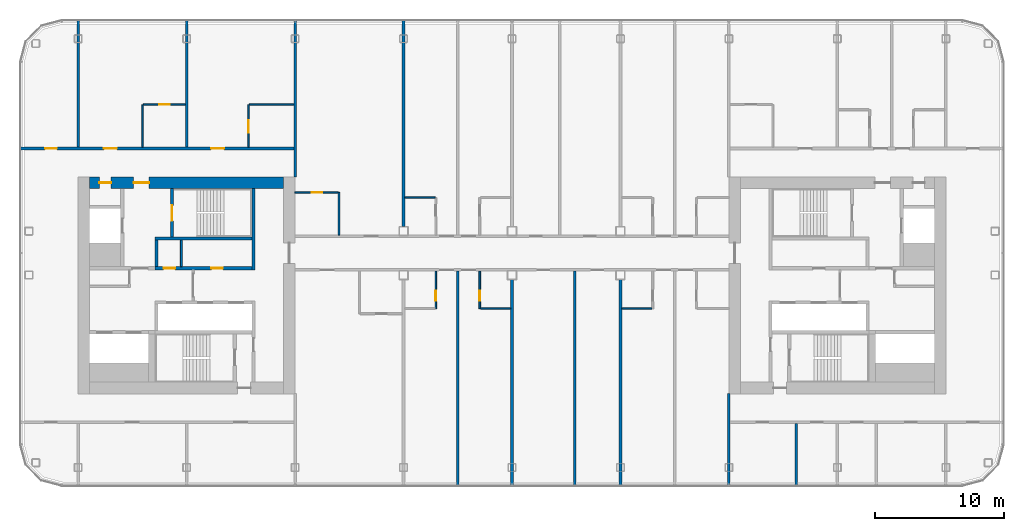
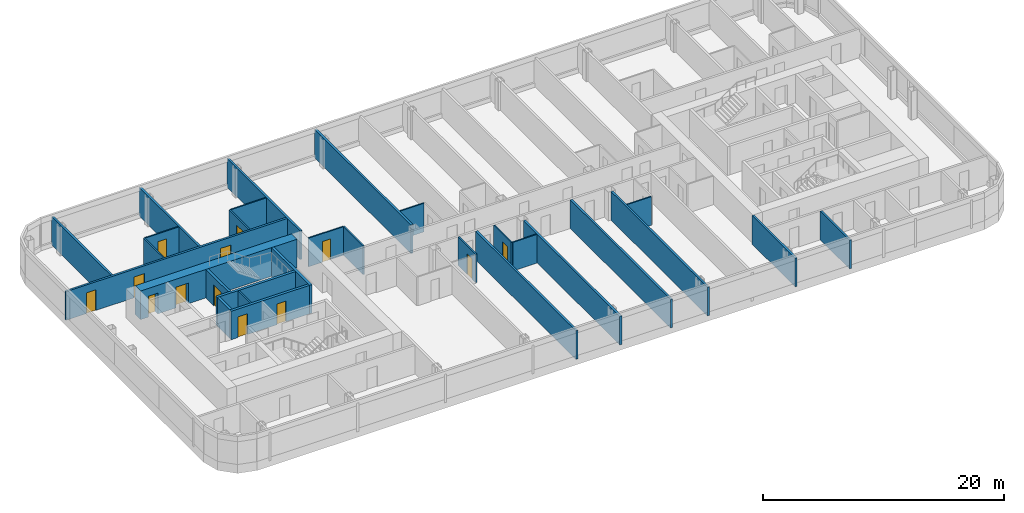
# One storey, part 14 of 26: 29 walls, 13 doors, 13 openings.
"""IFC4 building model written with IfcOpenShell, lengths in metres."""

from ifc_helpers import new_model, si_unit, direction, frame, frame_2d, origin, place, context, subcontext, project, spatial, rectangle, extrude, material, layer, layer_set, type_object, element, fill, save


model = new_model("IFC4")

# Units and contexts
model_context = context("Model", 3, precision=1e-05, world=origin(), true_north=direction((0.0, 1.0)))
body_context = subcontext(model_context, "Body", "Model", "MODEL_VIEW")
ifc_project = project(units=[si_unit("LENGTHUNIT", "METRE"), si_unit("AREAUNIT", "SQUARE_METRE"), si_unit("VOLUMEUNIT", "CUBIC_METRE"), si_unit("PLANEANGLEUNIT", "RADIAN"), si_unit("MASSUNIT", "GRAM", prefix="KILO")], contexts=[model_context])

# Site, building, storey
site_placement = place(None, origin())
site = spatial("IfcSite", under=ifc_project, at=site_placement, CompositionType="ELEMENT")
building_placement = place(site_placement, origin())
building = spatial("IfcBuilding", under=site, at=building_placement, Name="Hakoniwa Tower and Hamabe Station Hall", CompositionType="ELEMENT")
storey_placement = place(building_placement, frame((0.0, 0.0, 225.0)))
storey = spatial("IfcBuildingStorey", under=building, at=storey_placement, Name="L64", CompositionType="ELEMENT", Elevation=225.0)

# Walls
ifc_material_1 = material(Name="Gypsum board partition", Category="gypsum")
ifc_layer_1 = layer(ifc_material_1, 0.125)
ifc_layer_set_1 = layer_set([ifc_layer_1], Name="Bathroom Partition 125")
wall_type_1 = type_object("IfcWallType", Name="Bathroom Partition 125", PredefinedType="PARTITIONING", material=ifc_layer_set_1)
for number, where, z_axis, x_axis, name in (
    (1, (-2.4375, -1.800048828125, 0.0), (0.0, 0.0, 1.0), (1.0, 0.0, 0.0), "GW-L64-005"),
    (2, (8.5, -1.800048828125, 0.0), (0.0, 0.0, 1.0), (1.0, 0.0, 0.0), "GW-L64-006"),
):
    element("IfcWall", number, at=place(storey_placement, frame(where, z_axis=z_axis, x_axis=x_axis)), inside=storey, type_object=wall_type_1, Name=name, PredefinedType="PARTITIONING", context=body_context, shape_type="SweptSolid", body=[
        extrude(rectangle(XDim=2.33740234375, YDim=0.125, at=frame_2d((1.168701171875, 0.0))), origin(), (0.0, 0.0, 1.0), 2.89990234375),
    ])
wall_1_placement = place(storey_placement, frame((-8.300048828125, 6.800048828125, 0.0), z_axis=(0.0, 0.0, 1.0), x_axis=(1.0, 0.0, 0.0)))
element("IfcWall", 3, at=wall_1_placement, inside=storey, type_object=wall_type_1, Name="GW-L64-010", PredefinedType="PARTITIONING", context=body_context, shape_type="SweptSolid", body=[
    extrude(rectangle(XDim=2.337646484375, YDim=0.125, at=frame_2d((1.1689453125, 0.0))), origin(), (0.0, 0.0, 1.0), 2.89990234375),
])

# Wall, opening, door
wall_2_placement = place(storey_placement, frame((-16.81005859375, 7.199951171875, 0.0), z_axis=(0.0, 0.0, 1.0), x_axis=(1.0, 0.0, 0.0)))
wall_2 = element("IfcWall", 4, at=wall_2_placement, inside=storey, type_object=wall_type_1, Name="GW-L64-014", PredefinedType="PARTITIONING", context=body_context, shape_type="SweptSolid", body=[
    extrude(rectangle(XDim=3.34765625, YDim=0.125, at=frame_2d((1.673828125, 0.0))), origin(), (0.0, 0.0, 1.0), 2.89990234375),
])
opening_1_placement = place(wall_2_placement, frame((1.31005859375, 0.0, 0.0)))
opening_1 = element("IfcOpeningElement", 5, at=opening_1_placement, cuts=wall_2, Name="Opening GD-G4C2-24", PredefinedType="OPENING", context=body_context, shape_type="SweptSolid", body=[
    extrude(rectangle(XDim=0.800048828125, YDim=2.10009765625, at=frame_2d((0.39990234375, 1.050048828125))), frame((0.0, 0.072509765625, 0.0), z_axis=(0.0, -1.0, 0.0), x_axis=(1.0, 0.0, 0.0)), (0.0, 0.0, 1.0), 0.14501953125),
])
ifc_material_2 = material(Name="Timber door leaf", Category="wood")
door_type_1 = type_object("IfcDoorType", Name="Bathroom Door 800", OperationType="SINGLE_SWING_LEFT", PredefinedType="DOOR", material=ifc_material_2)
door_1_placement = place(opening_1_placement, origin())
door_1 = element("IfcDoor", 6, at=door_1_placement, inside=storey, type_object=door_type_1, Name="Door GD-G4C2-24", OperationType="SINGLE_SWING_RIGHT", OverallHeight=2.10009765625, OverallWidth=0.800048828125, PredefinedType="DOOR", context=body_context, shape_type="SweptSolid", body=[
    extrude(rectangle(XDim=0.800048828125, YDim=2.10009765625, at=frame_2d((0.39990234375, 1.050048828125))), frame((0.0, 0.02490234375, 0.0), z_axis=(0.0, -1.0, 0.0), x_axis=(1.0, 0.0, 0.0)), (0.0, 0.0, 1.0), 0.050048828125),
])
fill(opening_1, door_1)

wall_3_placement = place(storey_placement, frame((-28.53759765625, 14.0, 0.0), z_axis=(0.0, 0.0, 1.0), x_axis=(1.0, 0.0, 0.0)))
wall_3 = element("IfcWall", 7, at=wall_3_placement, inside=storey, type_object=wall_type_1, Name="GW-L64-019", PredefinedType="PARTITIONING", context=body_context, shape_type="SweptSolid", body=[
    extrude(rectangle(XDim=3.237548828125, YDim=0.125, at=frame_2d((1.61865234375, 0.0))), origin(), (0.0, 0.0, 1.0), 2.89990234375),
])
opening_2_placement = place(wall_3_placement, frame((1.237548828125, 0.0, 0.0)))
opening_2 = element("IfcOpeningElement", 8, at=opening_2_placement, cuts=wall_3, Name="Opening GD-G4C2-32", PredefinedType="OPENING", context=body_context, shape_type="SweptSolid", body=[
    extrude(rectangle(XDim=0.800048828125, YDim=2.10009765625, at=frame_2d((0.39990234375, 1.050048828125))), frame((0.0, 0.072509765625, 0.0), z_axis=(0.0, -1.0, 0.0), x_axis=(1.0, 0.0, 0.0)), (0.0, 0.0, 1.0), 0.14501953125),
])
door_2_placement = place(opening_2_placement, origin())
door_2 = element("IfcDoor", 9, at=door_2_placement, inside=storey, type_object=door_type_1, Name="Door GD-G4C2-32", OperationType="SINGLE_SWING_RIGHT", OverallHeight=2.10009765625, OverallWidth=0.800048828125, PredefinedType="DOOR", context=body_context, shape_type="SweptSolid", body=[
    extrude(rectangle(XDim=0.800048828125, YDim=2.10009765625, at=frame_2d((0.39990234375, 1.050048828125))), frame((0.0, 0.02490234375, 0.0), z_axis=(0.0, -1.0, 0.0), x_axis=(1.0, 0.0, 0.0)), (0.0, 0.0, 1.0), 0.050048828125),
])
fill(opening_2, door_2)

# Walls
wall_4_placement = place(storey_placement, frame((-20.33740234375, 14.0, 0.0), z_axis=(0.0, 0.0, 1.0), x_axis=(1.0, 0.0, 0.0)))
element("IfcWall", 10, at=wall_4_placement, inside=storey, type_object=wall_type_1, Name="GW-L64-020", PredefinedType="PARTITIONING", context=body_context, shape_type="SweptSolid", body=[
    extrude(rectangle(XDim=3.4375, YDim=0.125, at=frame_2d((1.71875, 0.0))), origin(), (0.0, 0.0, 1.0), 2.89990234375),
])
wall_5_placement = place(storey_placement, frame((-28.60009765625, 10.699951171875, 0.0), z_axis=(0.0, 0.0, 1.0), x_axis=(0.0, 1.0, 0.0)))
element("IfcWall", 11, at=wall_5_placement, inside=storey, type_object=wall_type_1, Name="GW-L64-024", PredefinedType="PARTITIONING", context=body_context, shape_type="SweptSolid", body=[
    extrude(rectangle(XDim=3.300048828125, YDim=0.125, at=frame_2d((1.64990234375, 0.0))), origin(), (0.0, 0.0, 1.0), 2.89990234375),
])

# Wall, opening, door
wall_6_placement = place(storey_placement, frame((-20.39990234375, 10.699951171875, 0.0), z_axis=(0.0, 0.0, 1.0), x_axis=(0.0, 1.0, 0.0)))
wall_6 = element("IfcWall", 12, at=wall_6_placement, inside=storey, type_object=wall_type_1, Name="GW-L64-027", PredefinedType="PARTITIONING", context=body_context, shape_type="SweptSolid", body=[
    extrude(rectangle(XDim=3.300048828125, YDim=0.125, at=frame_2d((1.64990234375, 0.0))), origin(), (0.0, 0.0, 1.0), 2.89990234375),
])
opening_3_placement = place(wall_6_placement, frame((1.10009765625, 0.0, 0.0)))
opening_3 = element("IfcOpeningElement", 13, at=opening_3_placement, cuts=wall_6, Name="Opening GD-G4C2-34", PredefinedType="OPENING", context=body_context, shape_type="SweptSolid", body=[
    extrude(rectangle(XDim=1.0, YDim=2.10009765625, at=frame_2d((0.5, 1.050048828125))), frame((0.0, 0.072509765625, 0.0), z_axis=(0.0, -1.0, 0.0), x_axis=(1.0, 0.0, 0.0)), (0.0, 0.0, 1.0), 0.14501953125),
])
ifc_material_3 = material(Name="Timber door leaf", Category="wood")
door_type_2 = type_object("IfcDoorType", Name="Accessible Bathroom Door 1000", OperationType="SINGLE_SWING_LEFT", PredefinedType="DOOR", material=ifc_material_3)
door_3_placement = place(opening_3_placement, origin())
door_3 = element("IfcDoor", 14, at=door_3_placement, inside=storey, type_object=door_type_2, Name="Door GD-G4C2-34", OperationType="SINGLE_SWING_RIGHT", OverallHeight=2.10009765625, OverallWidth=1.0, PredefinedType="DOOR", context=body_context, shape_type="SweptSolid", body=[
    extrude(rectangle(XDim=1.0, YDim=2.10009765625, at=frame_2d((0.5, 1.050048828125))), frame((0.0, 0.02490234375, 0.0), z_axis=(0.0, -1.0, 0.0), x_axis=(1.0, 0.0, 0.0)), (0.0, 0.0, 1.0), 0.050048828125),
])
fill(opening_3, door_3)

# Wall
wall_7_placement = place(storey_placement, frame((-13.39990234375, 3.89990234375, 0.0), z_axis=(0.0, 0.0, 1.0), x_axis=(0.0, 1.0, 0.0)))
element("IfcWall", 15, at=wall_7_placement, inside=storey, type_object=wall_type_1, Name="GW-L64-030", PredefinedType="PARTITIONING", context=body_context, shape_type="SweptSolid", body=[
    extrude(rectangle(XDim=3.300048828125, YDim=0.125, at=frame_2d((1.64990234375, 0.0))), origin(), (0.0, 0.0, 1.0), 2.89990234375),
])

# Wall, opening, door
wall_8_placement = place(storey_placement, frame((-5.89990234375, -1.800048828125, 0.0), z_axis=(0.0, 0.0, 1.0), x_axis=(0.0, 1.0, 0.0)))
wall_8 = element("IfcWall", 16, at=wall_8_placement, inside=storey, type_object=wall_type_1, Name="GW-L64-034", PredefinedType="PARTITIONING", context=body_context, shape_type="SweptSolid", body=[
    extrude(rectangle(XDim=2.900146484375, YDim=0.125, at=frame_2d((1.4501953125, 0.0))), origin(), (0.0, 0.0, 1.0), 2.89990234375),
])
opening_4_placement = place(wall_8_placement, frame((0.60009765625, 0.0, 0.0)))
opening_4 = element("IfcOpeningElement", 17, at=opening_4_placement, cuts=wall_8, Name="Opening GD-G4C2-35", PredefinedType="OPENING", context=body_context, shape_type="SweptSolid", body=[
    extrude(rectangle(XDim=0.800048828125, YDim=2.10009765625, at=frame_2d((0.39990234375, 1.050048828125))), frame((0.0, 0.072509765625, 0.0), z_axis=(0.0, -1.0, 0.0), x_axis=(1.0, 0.0, 0.0)), (0.0, 0.0, 1.0), 0.14501953125),
])
door_4_placement = place(opening_4_placement, origin())
door_4 = element("IfcDoor", 18, at=door_4_placement, inside=storey, type_object=door_type_1, Name="Door GD-G4C2-35", OperationType="SINGLE_SWING_RIGHT", OverallHeight=2.10009765625, OverallWidth=0.800048828125, PredefinedType="DOOR", context=body_context, shape_type="SweptSolid", body=[
    extrude(rectangle(XDim=0.800048828125, YDim=2.10009765625, at=frame_2d((0.39990234375, 1.050048828125))), frame((0.0, 0.02490234375, 0.0), z_axis=(0.0, -1.0, 0.0), x_axis=(1.0, 0.0, 0.0)), (0.0, 0.0, 1.0), 0.050048828125),
])
fill(opening_4, door_4)

wall_9_placement = place(storey_placement, frame((-2.5, -1.800048828125, 0.0), z_axis=(0.0, 0.0, 1.0), x_axis=(0.0, 1.0, 0.0)))
wall_9 = element("IfcWall", 19, at=wall_9_placement, inside=storey, type_object=wall_type_1, Name="GW-L64-038", PredefinedType="PARTITIONING", context=body_context, shape_type="SweptSolid", body=[
    extrude(rectangle(XDim=2.900146484375, YDim=0.125, at=frame_2d((1.4501953125, 0.0))), origin(), (0.0, 0.0, 1.0), 2.89990234375),
])
opening_5_placement = place(wall_9_placement, frame((0.60009765625, 0.0, 0.0)))
opening_5 = element("IfcOpeningElement", 20, at=opening_5_placement, cuts=wall_9, Name="Opening GD-G4C2-37", PredefinedType="OPENING", context=body_context, shape_type="SweptSolid", body=[
    extrude(rectangle(XDim=0.800048828125, YDim=2.10009765625, at=frame_2d((0.39990234375, 1.050048828125))), frame((0.0, 0.072509765625, 0.0), z_axis=(0.0, -1.0, 0.0), x_axis=(1.0, 0.0, 0.0)), (0.0, 0.0, 1.0), 0.14501953125),
])
door_5_placement = place(opening_5_placement, origin())
door_5 = element("IfcDoor", 21, at=door_5_placement, inside=storey, type_object=door_type_1, Name="Door GD-G4C2-37", OperationType="SINGLE_SWING_LEFT", OverallHeight=2.10009765625, OverallWidth=0.800048828125, PredefinedType="DOOR", context=body_context, shape_type="SweptSolid", body=[
    extrude(rectangle(XDim=0.800048828125, YDim=2.10009765625, at=frame_2d((0.39990234375, 1.050048828125))), frame((0.0, 0.02490234375, 0.0), z_axis=(0.0, -1.0, 0.0), x_axis=(1.0, 0.0, 0.0)), (0.0, 0.0, 1.0), 0.050048828125),
])
fill(opening_5, door_5)

# Wall
ifc_material_4 = material(Name="Gypsum board partition")
ifc_layer_2 = layer(ifc_material_4, 0.14990234375)
ifc_layer_set_2 = layer_set([ifc_layer_2], Name="CORE PARTITION 150 EI 60")
wall_type_2 = type_object("IfcWallType", Name="CORE PARTITION 150 EI 60", PredefinedType="PARTITIONING", material=ifc_layer_set_2)
wall_10_placement = place(storey_placement, frame((-25.60009765625, 1.449951171875, 0.0), z_axis=(0.0, 0.0, 1.0), x_axis=(0.0, 1.0, 0.0)))
element("IfcWall", 22, at=wall_10_placement, inside=storey, type_object=wall_type_2, Name="Core partition PFLR0 west", PredefinedType="PARTITIONING", context=body_context, shape_type="SweptSolid", body=[
    extrude(rectangle(XDim=2.050048828125, YDim=0.14990234375, at=frame_2d((1.02490234375, 0.0))), origin(), (0.0, 0.0, 1.0), 2.89990234375),
])

# Wall, openings, doors
ifc_material_5 = material(Name="Concrete C60", Category="concrete")
ifc_layer_3 = layer(ifc_material_5, 0.89990234375)
ifc_layer_set_3 = layer_set([ifc_layer_3], Name="CORE WALL 900 C60")
wall_type_3 = type_object("IfcWallType", Name="CORE WALL 900 C60", PredefinedType="SHEAR", material=ifc_layer_set_3)
wall_11_placement = place(storey_placement, frame((-32.699951171875, 7.949951171875, 0.0), z_axis=(0.0, 0.0, 1.0), x_axis=(1.0, 0.0, 0.0)))
wall_11 = element("IfcWall", 23, at=wall_11_placement, inside=storey, type_object=wall_type_3, Name="Core wall NORTH west", PredefinedType="SHEAR", context=body_context, shape_type="SweptSolid", body=[
    extrude(rectangle(XDim=15.0, YDim=0.89990234375, at=frame_2d((7.5, 0.0))), origin(), (0.0, 0.0, 1.0), 2.89990234375),
])
opening_6_placement = place(wall_11_placement, frame((3.39990234375, 0.0, 0.0)))
opening_6 = element("IfcOpeningElement", 24, at=opening_6_placement, cuts=wall_11, Name="Opening CD-W-FN1-12", PredefinedType="OPENING", context=body_context, shape_type="SweptSolid", body=[
    extrude(rectangle(XDim=1.199951171875, YDim=2.10009765625, at=frame_2d((0.60009765625, 1.050048828125))), frame((0.0, 0.4599609375, 0.0), z_axis=(0.0, -1.0, 0.0), x_axis=(1.0, 0.0, 0.0)), (0.0, 0.0, 1.0), 0.919921875),
])
opening_7_placement = place(wall_11_placement, frame((0.75, 0.0, 0.0)))
opening_7 = element("IfcOpeningElement", 25, at=opening_7_placement, cuts=wall_11, Name="Opening CD-W-FN2-9", PredefinedType="OPENING", context=body_context, shape_type="SweptSolid", body=[
    extrude(rectangle(XDim=0.89990234375, YDim=2.10009765625, at=frame_2d((0.449951171875, 1.050048828125))), frame((0.0, 0.4599609375, 0.0), z_axis=(0.0, -1.0, 0.0), x_axis=(1.0, 0.0, 0.0)), (0.0, 0.0, 1.0), 0.919921875),
])
ifc_material_6 = material(Name="Steel fire door", Category="steel")
door_type_3 = type_object("IfcDoorType", Name="CORE DOOR 1200 FD60", OperationType="DOUBLE_DOOR_SINGLE_SWING", PredefinedType="DOOR", material=ifc_material_6)
door_6_placement = place(opening_6_placement, origin())
door_6 = element("IfcDoor", 26, at=door_6_placement, inside=storey, type_object=door_type_3, Name="Stair vestibule door to the fire-fighting lobby", OperationType="DOUBLE_DOOR_SINGLE_SWING", OverallHeight=2.10009765625, OverallWidth=1.199951171875, PredefinedType="DOOR", context=body_context, shape_type="SweptSolid", body=[
    extrude(rectangle(XDim=1.199951171875, YDim=2.10009765625, at=frame_2d((0.60009765625, 1.050048828125))), frame((0.0, 0.02490234375, 0.0), z_axis=(0.0, -1.0, 0.0), x_axis=(1.0, 0.0, 0.0)), (0.0, 0.0, 1.0), 0.050048828125),
])
fill(opening_6, door_6)
ifc_material_7 = material(Name="Steel fire door", Category="steel")
door_type_4 = type_object("IfcDoorType", Name="CORE DOOR 900 FD30", OperationType="NOTDEFINED", PredefinedType="DOOR", material=ifc_material_7)
door_7_placement = place(opening_7_placement, origin())
door_7 = element("IfcDoor", 27, at=door_7_placement, inside=storey, type_object=door_type_4, Name="Riser access door", OperationType="SINGLE_SWING_LEFT", OverallHeight=2.10009765625, OverallWidth=0.89990234375, PredefinedType="DOOR", context=body_context, shape_type="SweptSolid", body=[
    extrude(rectangle(XDim=0.89990234375, YDim=2.10009765625, at=frame_2d((0.449951171875, 1.050048828125))), frame((0.0, 0.02490234375, 0.0), z_axis=(0.0, -1.0, 0.0), x_axis=(1.0, 0.0, 0.0)), (0.0, 0.0, 1.0), 0.050048828125),
])
fill(opening_7, door_7)

# Wall
ifc_material_8 = material(Name="Concrete C60", Category="concrete")
ifc_layer_4 = layer(ifc_material_8, 0.25)
ifc_layer_set_4 = layer_set([ifc_layer_4], Name="CORE WEB WALL 250 C60")
wall_type_4 = type_object("IfcWallType", Name="CORE WEB WALL 250 C60", PredefinedType="SHEAR", material=ifc_layer_set_4)
wall_12_placement = place(storey_placement, frame((-20.02490234375, 1.199951171875, 0.0), z_axis=(0.0, 0.0, 1.0), x_axis=(0.0, 1.0, 0.0)))
element("IfcWall", 28, at=wall_12_placement, inside=storey, type_object=wall_type_4, Name="Core wall W1N west", PredefinedType="SHEAR", context=body_context, shape_type="SweptSolid", body=[
    extrude(rectangle(XDim=6.300048828125, YDim=0.25, at=frame_2d((3.14990234375, 0.0))), origin(), (0.0, 0.0, 1.0), 2.89990234375),
])

# Wall, openings, doors
wall_13_placement = place(storey_placement, frame((-27.64990234375, 1.324951171875, 0.0), z_axis=(0.0, 0.0, 1.0), x_axis=(1.0, 0.0, 0.0)))
wall_13 = element("IfcWall", 29, at=wall_13_placement, inside=storey, type_object=wall_type_4, Name="Core wall NF west", PredefinedType="SHEAR", context=body_context, shape_type="SweptSolid", body=[
    extrude(rectangle(XDim=7.5, YDim=0.25, at=frame_2d((3.75, 0.0))), origin(), (0.0, 0.0, 1.0), 2.89990234375),
])
opening_8_placement = place(wall_13_placement, frame((4.362548828125, 0.0, 0.0)))
opening_8 = element("IfcOpeningElement", 30, at=opening_8_placement, cuts=wall_13, Name="Opening CD-W-FRLR0-9", PredefinedType="OPENING", context=body_context, shape_type="SweptSolid", body=[
    extrude(rectangle(XDim=0.89990234375, YDim=2.10009765625, at=frame_2d((0.449951171875, 1.050048828125))), frame((0.0, 0.135009765625, 0.0), z_axis=(0.0, -1.0, 0.0), x_axis=(1.0, 0.0, 0.0)), (0.0, 0.0, 1.0), 0.27001953125),
])
opening_9_placement = place(wall_13_placement, frame((0.66259765625, 0.0, 0.0)))
opening_9 = element("IfcOpeningElement", 31, at=opening_9_placement, cuts=wall_13, Name="Opening CD-W-FRLR1-9", PredefinedType="OPENING", context=body_context, shape_type="SweptSolid", body=[
    extrude(rectangle(XDim=0.89990234375, YDim=2.10009765625, at=frame_2d((0.449951171875, 1.050048828125))), frame((0.0, 0.135009765625, 0.0), z_axis=(0.0, -1.0, 0.0), x_axis=(1.0, 0.0, 0.0)), (0.0, 0.0, 1.0), 0.27001953125),
])
door_8_placement = place(opening_8_placement, origin())
door_8 = element("IfcDoor", 32, at=door_8_placement, inside=storey, type_object=door_type_4, Name="Store room door", OperationType="SINGLE_SWING_LEFT", OverallHeight=2.10009765625, OverallWidth=0.89990234375, PredefinedType="DOOR", context=body_context, shape_type="SweptSolid", body=[
    extrude(rectangle(XDim=0.89990234375, YDim=2.10009765625, at=frame_2d((0.449951171875, 1.050048828125))), frame((0.0, 0.02490234375, 0.0), z_axis=(0.0, -1.0, 0.0), x_axis=(1.0, 0.0, 0.0)), (0.0, 0.0, 1.0), 0.050048828125),
])
fill(opening_8, door_8)
door_9_placement = place(opening_9_placement, origin())
door_9 = element("IfcDoor", 33, at=door_9_placement, inside=storey, type_object=door_type_4, Name="Store room door", OperationType="SINGLE_SWING_RIGHT", OverallHeight=2.10009765625, OverallWidth=0.89990234375, PredefinedType="DOOR", context=body_context, shape_type="SweptSolid", body=[
    extrude(rectangle(XDim=0.89990234375, YDim=2.10009765625, at=frame_2d((0.449951171875, 1.050048828125))), frame((0.0, 0.02490234375, 0.0), z_axis=(0.0, -1.0, 0.0), x_axis=(1.0, 0.0, 0.0)), (0.0, 0.0, 1.0), 0.050048828125),
])
fill(opening_9, door_9)

# Walls
wall_14_placement = place(storey_placement, frame((-27.52490234375, 1.449951171875, 0.0), z_axis=(0.0, 0.0, 1.0), x_axis=(0.0, 1.0, 0.0)))
element("IfcWall", 34, at=wall_14_placement, inside=storey, type_object=wall_type_4, Name="Core wall NE west", PredefinedType="SHEAR", context=body_context, shape_type="SweptSolid", body=[
    extrude(rectangle(XDim=2.050048828125, YDim=0.25, at=frame_2d((1.02490234375, 0.0))), origin(), (0.0, 0.0, 1.0), 2.89990234375),
])
wall_15_placement = place(storey_placement, frame((-27.64990234375, 3.625, 0.0), z_axis=(0.0, 0.0, 1.0), x_axis=(1.0, 0.0, 0.0)))
element("IfcWall", 35, at=wall_15_placement, inside=storey, type_object=wall_type_4, Name="Core wall NR west", PredefinedType="SHEAR", context=body_context, shape_type="SweptSolid", body=[
    extrude(rectangle(XDim=7.5, YDim=0.25, at=frame_2d((3.75, 0.0))), origin(), (0.0, 0.0, 1.0), 2.89990234375),
])

# Wall, opening, door
wall_16_placement = place(storey_placement, frame((-26.324951171875, 3.75, 0.0), z_axis=(0.0, 0.0, 1.0), x_axis=(0.0, 1.0, 0.0)))
wall_16 = element("IfcWall", 36, at=wall_16_placement, inside=storey, type_object=wall_type_4, Name="Core wall NSE west", PredefinedType="SHEAR", context=body_context, shape_type="SweptSolid", body=[
    extrude(rectangle(XDim=3.75, YDim=0.25, at=frame_2d((1.875, 0.0))), origin(), (0.0, 0.0, 1.0), 2.89990234375),
])
opening_10_placement = place(wall_16_placement, frame((1.25, 0.0, 0.0)))
opening_10 = element("IfcOpeningElement", 37, at=opening_10_placement, cuts=wall_16, Name="Opening CD-W-SN-12", PredefinedType="OPENING", context=body_context, shape_type="SweptSolid", body=[
    extrude(rectangle(XDim=1.199951171875, YDim=2.10009765625, at=frame_2d((0.60009765625, 1.050048828125))), frame((0.0, 0.135009765625, 0.0), z_axis=(0.0, -1.0, 0.0), x_axis=(1.0, 0.0, 0.0)), (0.0, 0.0, 1.0), 0.27001953125),
])
door_10_placement = place(opening_10_placement, origin())
door_10 = element("IfcDoor", 38, at=door_10_placement, inside=storey, type_object=door_type_3, Name="Escape stair door", OperationType="DOUBLE_DOOR_SINGLE_SWING", OverallHeight=2.10009765625, OverallWidth=1.199951171875, PredefinedType="DOOR", context=body_context, shape_type="SweptSolid", body=[
    extrude(rectangle(XDim=1.199951171875, YDim=2.10009765625, at=frame_2d((0.60009765625, 1.050048828125))), frame((0.0, 0.02490234375, 0.0), z_axis=(0.0, -1.0, 0.0), x_axis=(1.0, 0.0, 0.0)), (0.0, 0.0, 1.0), 0.050048828125),
])
fill(opening_10, door_10)

# Wall, openings, doors
ifc_material_9 = material(Name="Fire-rated gypsum board partition", Category="gypsum")
ifc_layer_5 = layer(ifc_material_9, 0.199951171875)
ifc_layer_set_5 = layer_set([ifc_layer_5], Name="Corridor Wall 200")
wall_type_5 = type_object("IfcWallType", Name="Corridor Wall 200", PredefinedType="PARTITIONING", material=ifc_layer_set_5)
wall_17_placement = place(storey_placement, frame((-38.10009765625, 10.60009765625, 0.0), z_axis=(0.0, 0.0, 1.0), x_axis=(1.0, 0.0, 0.0)))
wall_17 = element("IfcWall", 39, at=wall_17_placement, inside=storey, type_object=wall_type_5, Name="GW-L64-015", PredefinedType="PARTITIONING", context=body_context, shape_type="SweptSolid", body=[
    extrude(rectangle(XDim=21.300048828125, YDim=0.199951171875, at=frame_2d((10.64990234375, 0.0))), origin(), (0.0, 0.0, 1.0), 2.89990234375),
])
opening_11_placement = place(wall_17_placement, frame((1.949951171875, 0.0, 0.0)))
opening_11 = element("IfcOpeningElement", 40, at=opening_11_placement, cuts=wall_17, Name="Opening GD-G4C2-25", PredefinedType="OPENING", context=body_context, shape_type="SweptSolid", body=[
    extrude(rectangle(XDim=0.89990234375, YDim=2.10009765625, at=frame_2d((0.449951171875, 1.050048828125))), frame((0.0, 0.10986328125, 0.0), z_axis=(0.0, -1.0, 0.0), x_axis=(1.0, 0.0, 0.0)), (0.0, 0.0, 1.0), 0.219970703125),
])
opening_12_placement = place(wall_17_placement, frame((6.5, 0.0, 0.0)))
opening_12 = element("IfcOpeningElement", 41, at=opening_12_placement, cuts=wall_17, Name="Opening GD-G4C2-26", PredefinedType="OPENING", context=body_context, shape_type="SweptSolid", body=[
    extrude(rectangle(XDim=1.0, YDim=2.10009765625, at=frame_2d((0.5, 1.050048828125))), frame((0.0, 0.10986328125, 0.0), z_axis=(0.0, -1.0, 0.0), x_axis=(1.0, 0.0, 0.0)), (0.0, 0.0, 1.0), 0.219970703125),
])
opening_13_placement = place(wall_17_placement, frame((14.800048828125, 0.0, 0.0)))
opening_13 = element("IfcOpeningElement", 42, at=opening_13_placement, cuts=wall_17, Name="Opening GD-G4C2-27", PredefinedType="OPENING", context=body_context, shape_type="SweptSolid", body=[
    extrude(rectangle(XDim=1.0, YDim=2.10009765625, at=frame_2d((0.5, 1.050048828125))), frame((0.0, 0.10986328125, 0.0), z_axis=(0.0, -1.0, 0.0), x_axis=(1.0, 0.0, 0.0)), (0.0, 0.0, 1.0), 0.219970703125),
])
ifc_material_10 = material(Name="Timber door leaf", Category="wood")
door_type_5 = type_object("IfcDoorType", Name="Accessible Guest Entrance Door 1000", OperationType="SINGLE_SWING_LEFT", PredefinedType="DOOR", material=ifc_material_10)
door_11_placement = place(opening_13_placement, origin())
door_11 = element("IfcDoor", 43, at=door_11_placement, inside=storey, type_object=door_type_5, Name="Door GD-G4C2-27", OperationType="SINGLE_SWING_LEFT", OverallHeight=2.10009765625, OverallWidth=1.0, PredefinedType="DOOR", context=body_context, shape_type="SweptSolid", body=[
    extrude(rectangle(XDim=1.0, YDim=2.10009765625, at=frame_2d((0.5, 1.050048828125))), frame((0.0, 0.02490234375, 0.0), z_axis=(0.0, -1.0, 0.0), x_axis=(1.0, 0.0, 0.0)), (0.0, 0.0, 1.0), 0.050048828125),
])
fill(opening_13, door_11)
ifc_material_11 = material(Name="Timber door leaf", Category="wood")
door_type_6 = type_object("IfcDoorType", Name="Guest Entrance Door 1000", OperationType="SINGLE_SWING_LEFT", PredefinedType="DOOR", material=ifc_material_11)
door_12_placement = place(opening_12_placement, origin())
door_12 = element("IfcDoor", 44, at=door_12_placement, inside=storey, type_object=door_type_6, Name="Door GD-G4C2-26", OperationType="SINGLE_SWING_RIGHT", OverallHeight=2.10009765625, OverallWidth=1.0, PredefinedType="DOOR", context=body_context, shape_type="SweptSolid", body=[
    extrude(rectangle(XDim=1.0, YDim=2.10009765625, at=frame_2d((0.5, 1.050048828125))), frame((0.0, 0.02490234375, 0.0), z_axis=(0.0, -1.0, 0.0), x_axis=(1.0, 0.0, 0.0)), (0.0, 0.0, 1.0), 0.050048828125),
])
fill(opening_12, door_12)
ifc_material_12 = material(Name="Timber door leaf", Category="wood")
door_type_7 = type_object("IfcDoorType", Name="Service Door 900", OperationType="SINGLE_SWING_LEFT", PredefinedType="DOOR", material=ifc_material_12)
door_13_placement = place(opening_11_placement, origin())
door_13 = element("IfcDoor", 45, at=door_13_placement, inside=storey, type_object=door_type_7, Name="Door GD-G4C2-25", OperationType="SINGLE_SWING_LEFT", OverallHeight=2.10009765625, OverallWidth=0.89990234375, PredefinedType="DOOR", context=body_context, shape_type="SweptSolid", body=[
    extrude(rectangle(XDim=0.89990234375, YDim=2.10009765625, at=frame_2d((0.449951171875, 1.050048828125))), frame((0.0, 0.02490234375, 0.0), z_axis=(0.0, -1.0, 0.0), x_axis=(1.0, 0.0, 0.0)), (0.0, 0.0, 1.0), 0.050048828125),
])
fill(opening_11, door_13)

# Walls
ifc_material_13 = material(Name="Fire-rated gypsum board partition", Category="gypsum")
ifc_layer_6 = layer(ifc_material_13, 0.199951171875)
ifc_layer_set_6 = layer_set([ifc_layer_6], Name="Party Wall 200")
wall_type_6 = type_object("IfcWallType", Name="Party Wall 200", PredefinedType="PARTITIONING", material=ifc_layer_set_6)
for number, where, z_axis, x_axis, name in (
    (46, (-33.60009765625, 10.699951171875, 0.0), (0.0, 0.0, 1.0), (0.0, 1.0, 0.0), "GW-L64-023"),
    (47, (-25.199951171875, 10.699951171875, 0.0), (0.0, 0.0, 1.0), (0.0, 1.0, 0.0), "GW-L64-026"),
):
    element("IfcWall", number, at=place(storey_placement, frame(where, z_axis=z_axis, x_axis=x_axis)), inside=storey, type_object=wall_type_6, Name=name, PredefinedType="PARTITIONING", context=body_context, shape_type="SweptSolid", body=[
        extrude(rectangle(XDim=9.85009765625, YDim=0.199951171875, at=frame_2d((4.925048828125, 0.0))), origin(), (0.0, 0.0, 1.0), 2.89990234375),
    ])
wall_18_placement = place(storey_placement, frame((-16.800048828125, 8.389892578125, 0.0), z_axis=(0.0, 0.0, 1.0), x_axis=(0.0, 1.0, 0.0)))
element("IfcWall", 48, at=wall_18_placement, inside=storey, type_object=wall_type_6, Name="GW-L64-029", PredefinedType="PARTITIONING", context=body_context, shape_type="SweptSolid", body=[
    extrude(rectangle(XDim=12.16015625, YDim=0.199951171875, at=frame_2d((6.080078125, 0.0))), origin(), (0.0, 0.0, 1.0), 2.89990234375),
])
wall_19_placement = place(storey_placement, frame((-8.39990234375, 4.5400390625, 0.0), z_axis=(0.0, 0.0, 1.0), x_axis=(0.0, 1.0, 0.0)))
element("IfcWall", 49, at=wall_19_placement, inside=storey, type_object=wall_type_6, Name="GW-L64-033", PredefinedType="PARTITIONING", context=body_context, shape_type="SweptSolid", body=[
    extrude(rectangle(XDim=16.010009765625, YDim=0.199951171875, at=frame_2d((8.0048828125, 0.0))), origin(), (0.0, 0.0, 1.0), 2.89990234375),
])
wall_20_placement = place(storey_placement, frame((-4.199951171875, -15.550048828125, 0.0), z_axis=(0.0, 0.0, 1.0), x_axis=(0.0, 1.0, 0.0)))
element("IfcWall", 50, at=wall_20_placement, inside=storey, type_object=wall_type_6, Name="GW-L64-036", PredefinedType="PARTITIONING", context=body_context, shape_type="SweptSolid", body=[
    extrude(rectangle(XDim=16.650146484375, YDim=0.199951171875, at=frame_2d((8.3251953125, 0.0))), origin(), (0.0, 0.0, 1.0), 2.89990234375),
])
wall_21_placement = place(storey_placement, frame((0.0, -15.550048828125, 0.0), z_axis=(0.0, 0.0, 1.0), x_axis=(0.0, 1.0, 0.0)))
element("IfcWall", 51, at=wall_21_placement, inside=storey, type_object=wall_type_6, Name="GW-L64-040", PredefinedType="PARTITIONING", context=body_context, shape_type="SweptSolid", body=[
    extrude(rectangle(XDim=16.010009765625, YDim=0.199951171875, at=frame_2d((8.0048828125, 0.0))), origin(), (0.0, 0.0, 1.0), 2.89990234375),
])
wall_22_placement = place(storey_placement, frame((4.8701171875, -15.550048828125, 0.0), z_axis=(0.0, 0.0, 1.0), x_axis=(0.0, 1.0, 0.0)))
element("IfcWall", 52, at=wall_22_placement, inside=storey, type_object=wall_type_6, Name="GW-L64-043", PredefinedType="PARTITIONING", context=body_context, shape_type="SweptSolid", body=[
    extrude(rectangle(XDim=16.650146484375, YDim=0.199951171875, at=frame_2d((8.3251953125, 0.0))), origin(), (0.0, 0.0, 1.0), 2.89990234375),
])
wall_23_placement = place(storey_placement, frame((8.39990234375, -15.550048828125, 0.0), z_axis=(0.0, 0.0, 1.0), x_axis=(0.0, 1.0, 0.0)))
element("IfcWall", 53, at=wall_23_placement, inside=storey, type_object=wall_type_6, Name="GW-L64-044", PredefinedType="PARTITIONING", context=body_context, shape_type="SweptSolid", body=[
    extrude(rectangle(XDim=16.010009765625, YDim=0.199951171875, at=frame_2d((8.0048828125, 0.0))), origin(), (0.0, 0.0, 1.0), 2.89990234375),
])
wall_24_placement = place(storey_placement, frame((16.800048828125, -15.550048828125, 0.0), z_axis=(0.0, 0.0, 1.0), x_axis=(0.0, 1.0, 0.0)))
element("IfcWall", 54, at=wall_24_placement, inside=storey, type_object=wall_type_6, Name="GW-L64-052", PredefinedType="PARTITIONING", context=body_context, shape_type="SweptSolid", body=[
    extrude(rectangle(XDim=7.16015625, YDim=0.199951171875, at=frame_2d((3.580078125, 0.0))), origin(), (0.0, 0.0, 1.0), 2.89990234375),
])
wall_25_placement = place(storey_placement, frame((22.010009765625, -15.550048828125, 0.0), z_axis=(0.0, 0.0, 1.0), x_axis=(0.0, 1.0, 0.0)))
element("IfcWall", 55, at=wall_25_placement, inside=storey, type_object=wall_type_6, Name="GW-L64-055", PredefinedType="PARTITIONING", context=body_context, shape_type="SweptSolid", body=[
    extrude(rectangle(XDim=4.85009765625, YDim=0.199951171875, at=frame_2d((2.425048828125, 0.0))), origin(), (0.0, 0.0, 1.0), 2.89990234375),
])

save(model, "model.ifc")
